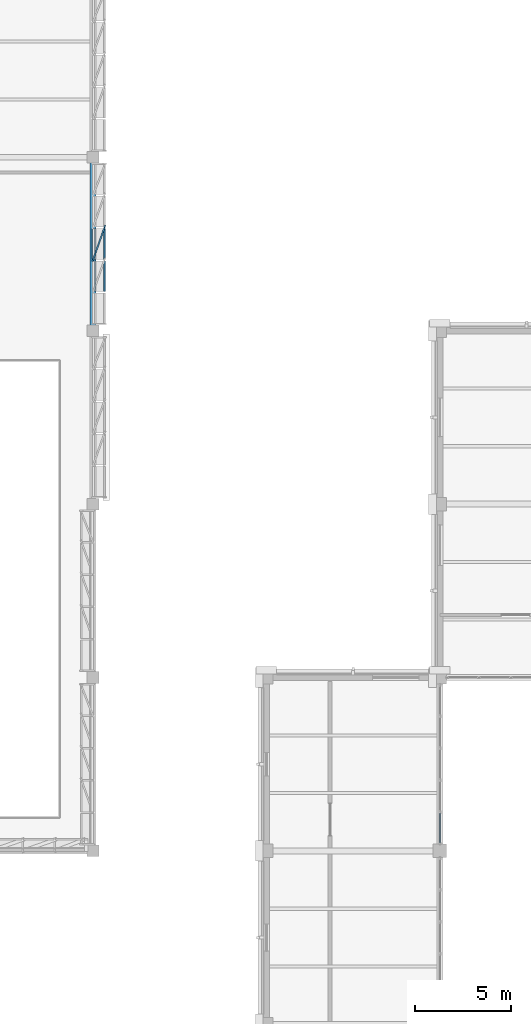
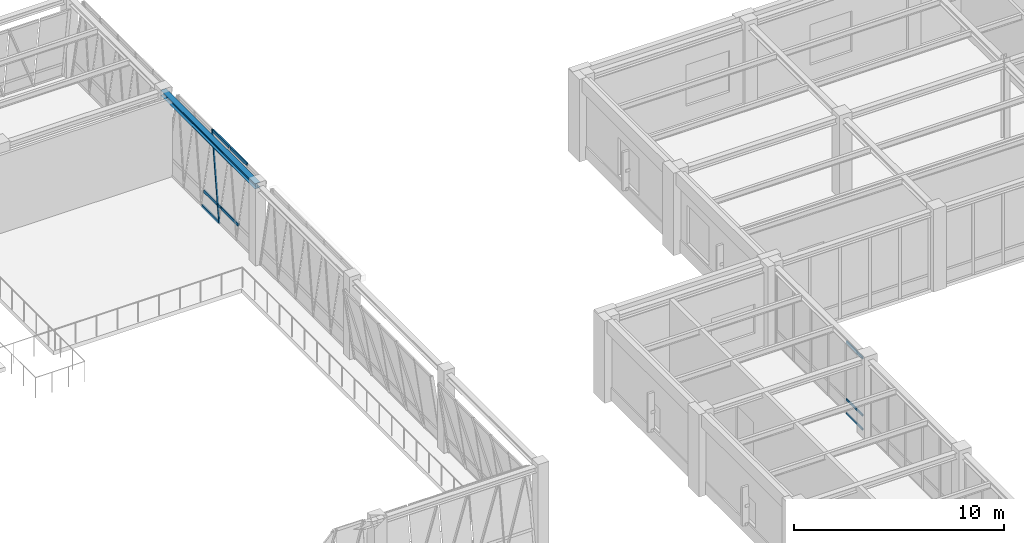
# One storey, part 42 of 98: 9 members, 1 beam, 2 elements without a shape of their own.
"""IFC4 building model written with IfcOpenShell, lengths in metres."""

from ifc_helpers import new_model, si_unit, direction, frame, origin, origin_2d, place, context, subcontext, project, spatial, hollow_rectangle, i_section, extrude, material, material_profile, profile_set, type_object, element, aggregate, save


model = new_model("IFC4")

# Units and contexts
model_context = context("Model", 3, precision=1e-05, world=origin(), true_north=direction((0.0, 1.0)))
body_context = subcontext(model_context, "Body", "Model", "MODEL_VIEW")
ifc_project = project(units=[si_unit("LENGTHUNIT", "METRE"), si_unit("AREAUNIT", "SQUARE_METRE"), si_unit("VOLUMEUNIT", "CUBIC_METRE"), si_unit("PLANEANGLEUNIT", "RADIAN"), si_unit("MASSUNIT", "GRAM", prefix="KILO")], contexts=[model_context])

# Site, building, storey
site_placement = place(None, origin())
site = spatial("IfcSite", under=ifc_project, at=site_placement, CompositionType="ELEMENT")
building_placement = place(site_placement, origin())
building = spatial("IfcBuilding", under=site, at=building_placement, Name="Lykobir Media Centre", CompositionType="ELEMENT")
storey_placement = place(building_placement, frame((0.0, 0.0, 10.199951171875)))
storey = spatial("IfcBuildingStorey", under=building, at=storey_placement, Name="L02", CompositionType="ELEMENT", Elevation=10.199951171875)

# Curtain wall, member
ifc_material_1 = material(Name="Anodized Aluminium AW-6060", Category="aluminium")
curtain_wall_type_1 = type_object("IfcCurtainWallType", Name="CW-V6-CR2", PredefinedType="NOTDEFINED", material=ifc_material_1)
curtain_wall_1_placement = place(storey_placement, origin())
curtain_wall_1 = element("IfcCurtainWall", 1, at=curtain_wall_1_placement, inside=storey, type_object=curtain_wall_type_1, Name="Curtain wall CW2-L02-0090", PredefinedType="NOTDEFINED")
ifc_material_profile_1 = material_profile(ifc_material_1, hollow_rectangle(XDim=0.074951171875, YDim=0.179931640625, WallThickness=0.00390625, at=origin_2d()), Name="ALU MULLION 75x180")
ifc_profile_set_1 = profile_set([ifc_material_profile_1], Name="Anodized Aluminium AW-6060")
member_type_1 = type_object("IfcMemberType", Name="CWM-180", PredefinedType="MULLION", material=ifc_profile_set_1)
member_1_placement = place(storey_placement, frame((81.0, 93.660888671875, 0.0), z_axis=(0.132256811749, 0.374604193598, 0.917703565365), x_axis=(0.942955909979, -0.332917635214, 0.0)))
member_1 = element("IfcMember", 2, at=member_1_placement, type_object=member_type_1, Name="CW2-L02-0090 mullion 3", PredefinedType="MULLION", context=body_context, shape_type="SweptSolid", body=[
    extrude(hollow_rectangle(XDim=0.074951171875, YDim=0.179931640625, WallThickness=0.00390625, at=origin_2d()), origin(), (0.0, 0.0, 1.0), 4.614990234375),
])

# Curtain wall, members
curtain_wall_type_2 = type_object("IfcCurtainWallType", Name="CW-COURT-A", PredefinedType="NOTDEFINED", material=ifc_material_1)
curtain_wall_2_placement = place(storey_placement, origin())
curtain_wall_2 = element("IfcCurtainWall", 3, at=curtain_wall_2_placement, inside=storey, type_object=curtain_wall_type_2, Name="Curtain wall CW2-L02-0107", PredefinedType="NOTDEFINED")
ifc_material_profile_2 = material_profile(ifc_material_1, hollow_rectangle(XDim=0.06494140625, YDim=0.1201171875, WallThickness=0.0029296875, at=origin_2d()), Name="ALU TRANSOM 65x120")
ifc_profile_set_2 = profile_set([ifc_material_profile_2], Name="Anodized Aluminium AW-6060")
member_type_2 = type_object("IfcMemberType", Name="CWT-120", PredefinedType="USERDEFINED", material=ifc_profile_set_2)
member_2_placement = place(storey_placement, frame((99.0, 64.98046875, 0.032470703125), z_axis=(0.0, -1.0, 0.0), x_axis=(1.0, 0.0, 0.0)))
member_2 = element("IfcMember", 4, at=member_2_placement, type_object=member_type_2, Name="CW2-L02-0107 transom 5.1", ObjectType="TRANSOM", PredefinedType="USERDEFINED", context=body_context, shape_type="SweptSolid", body=[
    extrude(hollow_rectangle(XDim=0.06494140625, YDim=0.1201171875, WallThickness=0.0029296875, at=origin_2d()), origin(), (0.0, 0.0, 1.0), 1.560546875),
])
member_3_placement = place(storey_placement, frame((99.0, 64.98046875, 0.85009765625), z_axis=(0.0, -1.0, 0.0), x_axis=(1.0, 0.0, 0.0)))
member_3 = element("IfcMember", 5, at=member_3_placement, type_object=member_type_2, Name="CW2-L02-0107 transom 5.2", ObjectType="TRANSOM", PredefinedType="USERDEFINED", context=body_context, shape_type="SweptSolid", body=[
    extrude(hollow_rectangle(XDim=0.06494140625, YDim=0.1201171875, WallThickness=0.0029296875, at=origin_2d()), origin(), (0.0, 0.0, 1.0), 1.560546875),
])
member_4_placement = place(storey_placement, frame((99.0, 64.98046875, 4.1826171875), z_axis=(0.0, -1.0, 0.0), x_axis=(1.0, 0.0, 0.0)))
member_4 = element("IfcMember", 6, at=member_4_placement, type_object=member_type_2, Name="CW2-L02-0107 transom 5.3", ObjectType="TRANSOM", PredefinedType="USERDEFINED", context=body_context, shape_type="SweptSolid", body=[
    extrude(hollow_rectangle(XDim=0.06494140625, YDim=0.1201171875, WallThickness=0.0029296875, at=origin_2d()), origin(), (0.0, 0.0, 1.0), 1.560546875),
])
aggregate(curtain_wall_2, [member_2, member_3, member_4])

# Member
ifc_material_profile_3 = material_profile(ifc_material_1, hollow_rectangle(XDim=0.074951171875, YDim=0.14990234375, WallThickness=0.00341796875, at=origin_2d()), Name="ALU TRANSOM 75x150")
ifc_profile_set_3 = profile_set([ifc_material_profile_3], Name="Anodized Aluminium AW-6060")
member_type_3 = type_object("IfcMemberType", Name="CWT-150", PredefinedType="USERDEFINED", material=ifc_profile_set_3)
member_5_placement = place(storey_placement, frame((81.12109375, 92.0205078125, 0.84130859375), z_axis=(0.0, 1.0, 0.0), x_axis=(-0.989776230908, 0.0, 0.142628933706)))
member_5 = element("IfcMember", 7, at=member_5_placement, type_object=member_type_3, Name="CW2-L02-0090 transom 2.2", ObjectType="TRANSOM", PredefinedType="USERDEFINED", context=body_context, shape_type="SweptSolid", body=[
    extrude(hollow_rectangle(XDim=0.074951171875, YDim=0.14990234375, WallThickness=0.00341796875, at=origin_2d()), origin(), (0.0, 0.0, 1.0), 1.60302734375),
])

member_6_placement = place(storey_placement, frame((81.60498046875, 92.0205078125, 4.19775390625), z_axis=(0.0, 1.0, 0.0), x_axis=(-0.989776230908, 0.0, 0.142628933706)))
member_6 = element("IfcMember", 8, at=member_6_placement, type_object=member_type_3, Name="CW2-L02-0090 transom 2.3", ObjectType="TRANSOM", PredefinedType="USERDEFINED", context=body_context, shape_type="SweptSolid", body=[
    extrude(hollow_rectangle(XDim=0.074951171875, YDim=0.14990234375, WallThickness=0.00341796875, at=origin_2d()), origin(), (0.0, 0.0, 1.0), 1.60302734375),
])

member_7_placement = place(storey_placement, frame((81.00537109375, 93.698486328125, 0.037109375), z_axis=(0.0, 1.0, 0.0), x_axis=(-0.989776230908, 0.0, 0.142628933706)))
member_7 = element("IfcMember", 9, at=member_7_placement, type_object=member_type_3, Name="CW2-L02-0090 transom 3.1", ObjectType="TRANSOM", PredefinedType="USERDEFINED", context=body_context, shape_type="SweptSolid", body=[
    extrude(hollow_rectangle(XDim=0.074951171875, YDim=0.14990234375, WallThickness=0.00341796875, at=origin_2d()), origin(), (0.0, 0.0, 1.0), 1.60302734375),
])

member_8_placement = place(storey_placement, frame((81.12109375, 93.698486328125, 0.84130859375), z_axis=(0.0, 1.0, 0.0), x_axis=(-0.989776230908, 0.0, 0.142628933706)))
member_8 = element("IfcMember", 10, at=member_8_placement, type_object=member_type_3, Name="CW2-L02-0090 transom 3.2", ObjectType="TRANSOM", PredefinedType="USERDEFINED", context=body_context, shape_type="SweptSolid", body=[
    extrude(hollow_rectangle(XDim=0.074951171875, YDim=0.14990234375, WallThickness=0.00341796875, at=origin_2d()), origin(), (0.0, 0.0, 1.0), 1.60302734375),
])

member_9_placement = place(storey_placement, frame((81.60498046875, 93.698486328125, 4.19775390625), z_axis=(0.0, 1.0, 0.0), x_axis=(-0.989776230908, 0.0, 0.142628933706)))
member_9 = element("IfcMember", 11, at=member_9_placement, type_object=member_type_3, Name="CW2-L02-0090 transom 3.3", ObjectType="TRANSOM", PredefinedType="USERDEFINED", context=body_context, shape_type="SweptSolid", body=[
    extrude(hollow_rectangle(XDim=0.074951171875, YDim=0.14990234375, WallThickness=0.00341796875, at=origin_2d()), origin(), (0.0, 0.0, 1.0), 1.60302734375),
])

aggregate(curtain_wall_1, [member_1, member_5, member_6, member_7, member_8, member_9])

# Beam
ifc_material_2 = material(Name="Steel S355", Category="steel")
ifc_material_profile_4 = material_profile(ifc_material_2, i_section(OverallWidth=0.300048828125, OverallDepth=0.31005859375, WebThickness=0.009033203125, FlangeThickness=0.015380859375, at=origin_2d()), Name="HEA 320")
ifc_profile_set_4 = profile_set([ifc_material_profile_4], Name="Steel S355")
beam_type = type_object("IfcBeamType", Name="SP-HEA320-E", PredefinedType="SPANDREL", material=ifc_profile_set_4)
beam_placement = place(storey_placement, frame((81.0, 90.0, 4.405029296875), z_axis=(0.0, 1.0, 0.0), x_axis=(-1.0, 0.0, 0.0)))
element("IfcBeam", 12, at=beam_placement, inside=storey, type_object=beam_type, Name="Beam BM-L02-0810-0900-0810-0990-1460", PredefinedType="SPANDREL", context=body_context, shape_type="SweptSolid", body=[
    extrude(i_section(OverallWidth=0.300048828125, OverallDepth=0.31005859375, WebThickness=0.009033203125, FlangeThickness=0.015380859375, at=origin_2d()), origin(), (0.0, 0.0, 1.0), 9.0),
])

save(model, "model.ifc")
